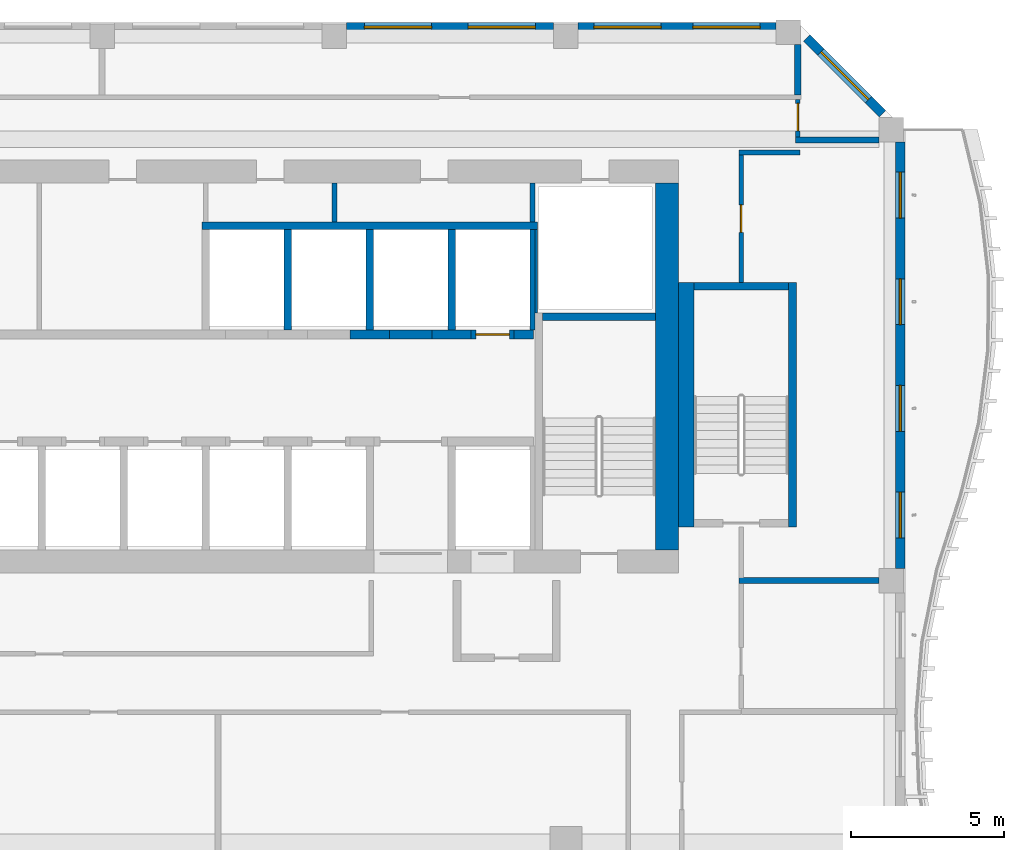
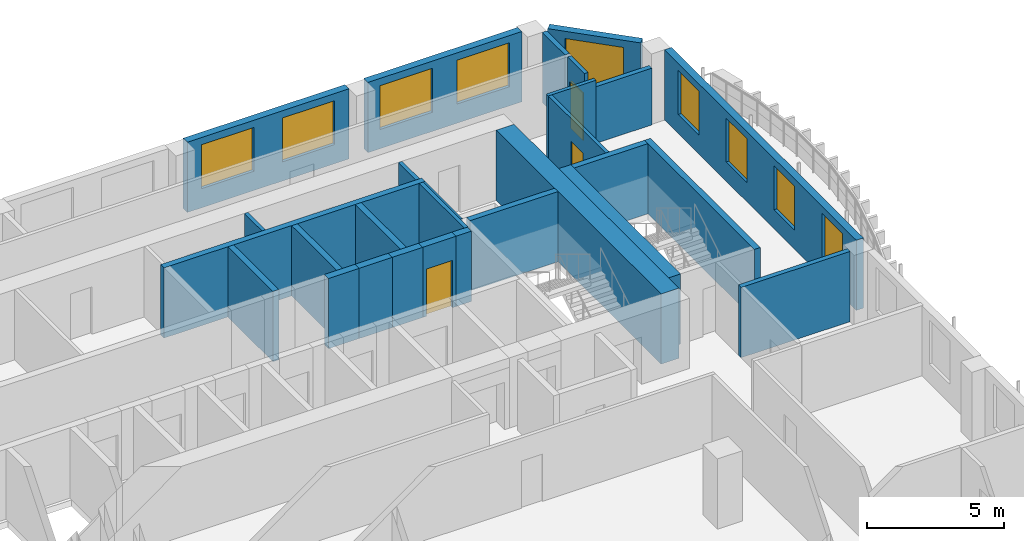
# One storey, part 10 of 22: 28 walls, 9 windows, 3 doors, 12 openings.
"""IFC4 building model written with IfcOpenShell, lengths in metres."""

from ifc_helpers import new_model, si_unit, direction, frame, frame_2d, origin, place, context, subcontext, project, spatial, rectangle, extrude, source, transform, mapped, material, layer, layer_set, type_object, element, fill, save


model = new_model("IFC4")

# Units and contexts
model_context = context("Model", 3, precision=1e-05, world=origin(), true_north=direction((0.0, 1.0)))
body_context = subcontext(model_context, "Body", "Model", "MODEL_VIEW")
ifc_project = project(units=[si_unit("LENGTHUNIT", "METRE"), si_unit("AREAUNIT", "SQUARE_METRE"), si_unit("VOLUMEUNIT", "CUBIC_METRE"), si_unit("PLANEANGLEUNIT", "RADIAN"), si_unit("MASSUNIT", "GRAM", prefix="KILO")], contexts=[model_context])

# Site, building, storey
site_placement = place(None, origin())
site = spatial("IfcSite", under=ifc_project, at=site_placement, CompositionType="ELEMENT")
building_placement = place(site_placement, origin())
building = spatial("IfcBuilding", under=site, at=building_placement, Name="Kilnfold Tower and Market Hall", CompositionType="ELEMENT")
storey_placement = place(building_placement, frame((0.0, 0.0, 188.89990234375)))
storey = spatial("IfcBuildingStorey", under=building, at=storey_placement, Name="L45", CompositionType="ELEMENT", Elevation=188.89990234375)

# Wall
ifc_material_1 = material(Name="Gypsum board on steel studs", Category="steel")
ifc_layer_1 = layer(ifc_material_1, 0.14990234375)
ifc_layer_set_1 = layer_set([ifc_layer_1], Name="Gypsum board on steel studs")
wall_type_1 = type_object("IfcWallType", Name="WALL CORRIDOR 150", PredefinedType="PARTITIONING", material=ifc_layer_set_1)
wall_1_placement = place(storey_placement, frame((19.824951171875, 22.0, 0.0), z_axis=(0.0, 0.0, 1.0), x_axis=(1.0, 0.0, 0.0)))
element("IfcWall", 1, at=wall_1_placement, inside=storey, type_object=wall_type_1, Name="Partition LY28.30", PredefinedType="PARTITIONING", context=body_context, shape_type="SweptSolid", body=[
    extrude(rectangle(XDim=2.0, YDim=0.14990234375, at=frame_2d((1.0, 0.0))), origin(), (0.0, 0.0, 1.0), 3.1201171875),
])

# Wall, opening, door
wall_2_placement = place(storey_placement, frame((19.89990234375, 17.75, 0.0), z_axis=(0.0, 0.0, 1.0), x_axis=(0.0, 1.0, 0.0)))
wall_2 = element("IfcWall", 2, at=wall_2_placement, inside=storey, type_object=wall_type_1, Name="Partition LY28.31", PredefinedType="PARTITIONING", context=body_context, shape_type="SweptSolid", body=[
    extrude(rectangle(XDim=4.175048828125, YDim=0.14990234375, at=frame_2d((2.08740234375, 0.0))), origin(), (0.0, 0.0, 1.0), 3.1201171875),
])
opening_1_placement = place(wall_2_placement, frame((1.637939453125, 0.0, 0.0)))
opening_1 = element("IfcOpeningElement", 3, at=opening_1_placement, cuts=wall_2, Name="Opening D2", PredefinedType="OPENING", context=body_context, shape_type="SweptSolid", body=[
    extrude(rectangle(XDim=0.89990234375, YDim=2.10009765625, at=frame_2d((0.449951171875, 1.050048828125))), frame((0.0, 0.0849609375, 0.0), z_axis=(0.0, -1.0, 0.0), x_axis=(1.0, 0.0, 0.0)), (0.0, 0.0, 1.0), 0.169921875),
])
ifc_material_2 = material(Name="Timber veneer door leaf in steel frame", Category="steel")
door_type_1 = type_object("IfcDoorType", Name="DOOR ROOM 900 X2100", OperationType="NOTDEFINED", PredefinedType="DOOR", material=ifc_material_2)
door_1_placement = place(opening_1_placement, origin())
door_1 = element("IfcDoor", 4, at=door_1_placement, inside=storey, type_object=door_type_1, Name="Door D2", OperationType="SINGLE_SWING_LEFT", OverallHeight=2.10009765625, OverallWidth=0.89990234375, PredefinedType="DOOR", context=body_context, shape_type="SweptSolid", body=[
    extrude(rectangle(XDim=0.89990234375, YDim=2.10009765625, at=frame_2d((0.449951171875, 1.050048828125))), frame((0.0, 0.02490234375, 0.0), z_axis=(0.0, -1.0, 0.0), x_axis=(1.0, 0.0, 0.0)), (0.0, 0.0, 1.0), 0.050048828125),
])
fill(opening_1, door_1)

wall_3_placement = place(storey_placement, frame((21.75, 22.5029296875, 0.0), z_axis=(0.0, 0.0, 1.0), x_axis=(0.0, 1.0, 0.0)))
wall_3 = element("IfcWall", 5, at=wall_3_placement, inside=storey, type_object=wall_type_1, Name="Partition LY28.33", PredefinedType="PARTITIONING", context=body_context, shape_type="SweptSolid", body=[
    extrude(rectangle(XDim=1.22216796875, YDim=0.14990234375, at=frame_2d((0.611083984375, 0.0))), origin(), (0.0, 0.0, 1.0), 3.1201171875),
])
opening_2_placement = place(wall_3_placement, frame((0.201904296875, 0.0, 0.0)))
opening_2 = element("IfcOpeningElement", 6, at=opening_2_placement, cuts=wall_3, Name="Opening D2", PredefinedType="OPENING", context=body_context, shape_type="SweptSolid", body=[
    extrude(rectangle(XDim=0.89990234375, YDim=2.10009765625, at=frame_2d((0.449951171875, 1.050048828125))), frame((0.0, 0.0849609375, 0.0), z_axis=(0.0, -1.0, 0.0), x_axis=(1.0, 0.0, 0.0)), (0.0, 0.0, 1.0), 0.169921875),
])
door_2_placement = place(opening_2_placement, origin())
door_2 = element("IfcDoor", 7, at=door_2_placement, inside=storey, type_object=door_type_1, Name="Door D2", OperationType="SINGLE_SWING_RIGHT", OverallHeight=2.10009765625, OverallWidth=0.89990234375, PredefinedType="DOOR", context=body_context, shape_type="SweptSolid", body=[
    extrude(rectangle(XDim=0.89990234375, YDim=2.10009765625, at=frame_2d((0.449951171875, 1.050048828125))), frame((0.0, 0.02490234375, 0.0), z_axis=(0.0, -1.0, 0.0), x_axis=(1.0, 0.0, 0.0)), (0.0, 0.0, 1.0), 0.050048828125),
])
fill(opening_2, door_2)

# Walls
ifc_material_3 = material(Name="Gypsum board on steel studs", Category="steel")
ifc_layer_2 = layer(ifc_material_3, 0.199951171875)
ifc_layer_set_2 = layer_set([ifc_layer_2], Name="Gypsum board on steel studs")
wall_type_2 = type_object("IfcWallType", Name="WALL PARTY 200", PredefinedType="PARTITIONING", material=ifc_layer_set_2)
wall_4_placement = place(storey_placement, frame((19.826904296875, 8.0, 0.0), z_axis=(0.0, 0.0, 1.0), x_axis=(1.0, 0.0, 0.0)))
element("IfcWall", 8, at=wall_4_placement, inside=storey, type_object=wall_type_2, Name="Partition LY28.115", PredefinedType="PARTITIONING", context=body_context, shape_type="SweptSolid", body=[
    extrude(rectangle(XDim=4.572998046875, YDim=0.199951171875, at=frame_2d((2.28662109375, 0.0))), origin(), (0.0, 0.0, 1.0), 3.1201171875),
])
wall_5_placement = place(storey_placement, frame((24.39990234375, 22.4130859375, 0.0), z_axis=(0.0, 0.0, 1.0), x_axis=(-1.0, 0.0, 0.0)))
element("IfcWall", 9, at=wall_5_placement, inside=storey, type_object=wall_type_2, Name="Partition LY28.117", PredefinedType="PARTITIONING", context=body_context, shape_type="SweptSolid", body=[
    extrude(rectangle(XDim=2.722900390625, YDim=0.199951171875, at=frame_2d((1.361328125, 0.0))), origin(), (0.0, 0.0, 1.0), 2.52001953125),
])
wall_6_placement = place(storey_placement, frame((21.75, 25.531982421875, 0.0), z_axis=(0.0, 0.0, 1.0), x_axis=(0.0, -1.0, 0.0)))
element("IfcWall", 10, at=wall_6_placement, inside=storey, type_object=wall_type_2, Name="Partition LY28.118", PredefinedType="PARTITIONING", context=body_context, shape_type="SweptSolid", body=[
    extrude(rectangle(XDim=1.655029296875, YDim=0.199951171875, at=frame_2d((0.82763671875, 0.0))), origin(), (0.0, 0.0, 1.0), 3.1201171875),
])
ifc_material_4 = material(Name="Concrete C60", Category="concrete")
ifc_layer_3 = layer(ifc_material_4, 0.25)
ifc_layer_set_3 = layer_set([ifc_layer_3], Name="Concrete C60")
wall_type_3 = type_object("IfcWallType", Name="CORE WALL 250 C60", PredefinedType="SHEAR", material=ifc_layer_set_3)
shared_shape_1 = source(origin(), body_context, "Body", "SweptSolid", [
    extrude(rectangle(XDim=3.7001953125, YDim=0.25, at=frame_2d((1.85009765625, 0.0))), origin(), (0.0, 0.0, 1.0), 3.1201171875),
])
wall_7_placement = place(storey_placement, frame((13.39990234375, 16.625, 0.0), z_axis=(0.0, 0.0, 1.0), x_axis=(1.0, 0.0, 0.0)))
element("IfcWall", 11, at=wall_7_placement, inside=storey, type_object=wall_type_3, Name="Stair enclosure ST2", PredefinedType="SHEAR", context=body_context, shape_type="MappedRepresentation", body=[
    mapped(shared_shape_1, transform((0.0, 0.0, 0.0))),
])
shared_shape_2 = source(origin(), body_context, "Body", "SweptSolid", [
    extrude(rectangle(XDim=8.0, YDim=0.25, at=frame_2d((4.0, 0.0))), origin(), (0.0, 0.0, 1.0), 3.1201171875),
])
wall_8_placement = place(storey_placement, frame((21.574951171875, 9.75, 0.0), z_axis=(0.0, 0.0, 1.0), x_axis=(0.0, 1.0, 0.0)))
element("IfcWall", 12, at=wall_8_placement, inside=storey, type_object=wall_type_3, Name="Stair enclosure ST5", PredefinedType="SHEAR", context=body_context, shape_type="MappedRepresentation", body=[
    mapped(shared_shape_2, transform((0.0, 0.0, 0.0))),
])
shared_shape_3 = source(origin(), body_context, "Body", "SweptSolid", [
    extrude(rectangle(XDim=3.099853515625, YDim=0.25, at=frame_2d((1.5498046875, 0.0))), origin(), (0.0, 0.0, 1.0), 3.1201171875),
])
wall_9_placement = place(storey_placement, frame((18.35009765625, 17.625, 0.0), z_axis=(0.0, 0.0, 1.0), x_axis=(1.0, 0.0, 0.0)))
element("IfcWall", 13, at=wall_9_placement, inside=storey, type_object=wall_type_3, Name="Stair enclosure ST5", PredefinedType="SHEAR", context=body_context, shape_type="MappedRepresentation", body=[
    mapped(shared_shape_3, transform((0.0, 0.0, 0.0))),
])
ifc_material_5 = material(Name="Concrete C60", Category="concrete")
ifc_layer_4 = layer(ifc_material_5, 0.300048828125)
ifc_layer_set_4 = layer_set([ifc_layer_4], Name="Concrete C60")
wall_type_4 = type_object("IfcWallType", Name="CORE WALL 300 C60", PredefinedType="SHEAR", material=ifc_layer_set_4)
shared_shape_4 = source(origin(), body_context, "Body", "SweptSolid", [
    extrude(rectangle(XDim=1.280029296875, YDim=0.300048828125, at=frame_2d((0.64013671875, 0.0))), origin(), (0.0, 0.0, 1.0), 3.1201171875),
])
wall_10_placement = place(storey_placement, frame((9.7900390625, 16.050048828125, 0.0), z_axis=(0.0, 0.0, 1.0), x_axis=(1.0, 0.0, 0.0)))
element("IfcWall", 14, at=wall_10_placement, inside=storey, type_object=wall_type_4, Name="Core spine wall", PredefinedType="SHEAR", context=body_context, shape_type="MappedRepresentation", body=[
    mapped(shared_shape_4, transform((0.0, 0.0, 0.0))),
])
shared_shape_5 = source(origin(), body_context, "Body", "SweptSolid", [
    extrude(rectangle(XDim=1.27978515625, YDim=0.300048828125, at=frame_2d((0.639892578125, 0.0))), origin(), (0.0, 0.0, 1.0), 3.1201171875),
])
wall_11_placement = place(storey_placement, frame((7.110107421875, 16.050048828125, 0.0), z_axis=(0.0, 0.0, 1.0), x_axis=(1.0, 0.0, 0.0)))
element("IfcWall", 15, at=wall_11_placement, inside=storey, type_object=wall_type_4, Name="Core spine wall", PredefinedType="SHEAR", context=body_context, shape_type="MappedRepresentation", body=[
    mapped(shared_shape_5, transform((0.0, 0.0, 0.0))),
])
shared_shape_6 = source(origin(), body_context, "Body", "SweptSolid", [
    extrude(rectangle(XDim=0.64013671875, YDim=0.300048828125, at=frame_2d((0.320068359375, 0.0))), origin(), (0.0, 0.0, 1.0), 3.1201171875),
])
wall_12_placement = place(storey_placement, frame((12.469970703125, 16.050048828125, 0.0), z_axis=(0.0, 0.0, 1.0), x_axis=(1.0, 0.0, 0.0)))
element("IfcWall", 16, at=wall_12_placement, inside=storey, type_object=wall_type_4, Name="Core spine wall", PredefinedType="SHEAR", context=body_context, shape_type="MappedRepresentation", body=[
    mapped(shared_shape_6, transform((0.0, 0.0, 0.0))),
])
ifc_material_6 = material(Name="Concrete C60", Category="concrete")
ifc_layer_5 = layer(ifc_material_6, 0.75)
ifc_layer_set_5 = layer_set([ifc_layer_5], Name="Concrete C60")
wall_type_5 = type_object("IfcWallType", Name="CORE WALL 750 C60", PredefinedType="SHEAR", material=ifc_layer_set_5)
shared_shape_7 = source(origin(), body_context, "Body", "SweptSolid", [
    extrude(rectangle(XDim=12.0, YDim=0.75, at=frame_2d((6.0, 0.0))), origin(), (0.0, 0.0, 1.0), 3.1201171875),
])
wall_13_placement = place(storey_placement, frame((17.47509765625, 9.0, 0.0), z_axis=(0.0, 0.0, 1.0), x_axis=(0.0, 1.0, 0.0)))
element("IfcWall", 17, at=wall_13_placement, inside=storey, type_object=wall_type_5, Name="Core outer wall east", PredefinedType="SHEAR", context=body_context, shape_type="MappedRepresentation", body=[
    mapped(shared_shape_7, transform((0.0, 0.0, 0.0))),
])
ifc_material_7 = material(Name="Concrete C60", Category="concrete")
ifc_layer_6 = layer(ifc_material_7, 0.5)
ifc_layer_set_6 = layer_set([ifc_layer_6], Name="Concrete C60")
wall_type_6 = type_object("IfcWallType", Name="CORE WALL 500 C60", PredefinedType="SHEAR", material=ifc_layer_set_6)
shared_shape_8 = source(origin(), body_context, "Body", "SweptSolid", [
    extrude(rectangle(XDim=8.0, YDim=0.5, at=frame_2d((4.0, 0.0))), origin(), (0.0, 0.0, 1.0), 3.1201171875),
])
wall_14_placement = place(storey_placement, frame((18.10009765625, 9.75, 0.0), z_axis=(0.0, 0.0, 1.0), x_axis=(0.0, 1.0, 0.0)))
element("IfcWall", 18, at=wall_14_placement, inside=storey, type_object=wall_type_6, Name="Stair enclosure ST5", PredefinedType="SHEAR", context=body_context, shape_type="MappedRepresentation", body=[
    mapped(shared_shape_8, transform((0.0, 0.0, 0.0))),
])

# Wall, openings, windows
ifc_material_8 = material(Name="Precast concrete C50/60", Category="concrete")
ifc_layer_7 = layer(ifc_material_8, 0.300048828125)
ifc_layer_set_7 = layer_set([ifc_layer_7], Name="Precast concrete C50/60")
wall_type_7 = type_object("IfcWallType", Name="PRECAST WALL 300", PredefinedType="SOLIDWALL", material=ifc_layer_set_7)
shared_shape_9 = source(origin(), body_context, "Body", "SweptSolid", [
    extrude(rectangle(XDim=6.783203125, YDim=0.300048828125, at=frame_2d((3.3916015625, 0.0))), origin(), (0.0, 0.0, 1.0), 3.1201171875),
])
wall_15_placement = place(storey_placement, frame((13.7666015625, 26.10009765625, 0.0), z_axis=(0.0, 0.0, 1.0), x_axis=(-1.0, 0.0, 0.0)))
wall_15 = element("IfcWall", 19, at=wall_15_placement, inside=storey, type_object=wall_type_7, Name="External wall L45 N", PredefinedType="SOLIDWALL", context=body_context, shape_type="MappedRepresentation", body=[
    mapped(shared_shape_9, transform((0.0, 0.0, 0.0))),
])
opening_3_placement = place(wall_15_placement, frame((0.595703125, 0.0, 0.85009765625)))
opening_3 = element("IfcOpeningElement", 20, at=opening_3_placement, cuts=wall_15, Name="Opening W2", PredefinedType="OPENING", context=body_context, shape_type="SweptSolid", body=[
    extrude(rectangle(XDim=2.199951171875, YDim=1.949951171875, at=frame_2d((1.10009765625, 0.97509765625))), frame((0.0, 0.16015625, 0.0), z_axis=(0.0, -1.0, 0.0), x_axis=(1.0, 0.0, 0.0)), (0.0, 0.0, 1.0), 0.320068359375),
])
opening_4_placement = place(wall_15_placement, frame((3.987548828125, 0.0, 0.85009765625)))
opening_4 = element("IfcOpeningElement", 21, at=opening_4_placement, cuts=wall_15, Name="Opening W2", PredefinedType="OPENING", context=body_context, shape_type="SweptSolid", body=[
    extrude(rectangle(XDim=2.199951171875, YDim=1.949951171875, at=frame_2d((1.10009765625, 0.97509765625))), frame((0.0, 0.16015625, 0.0), z_axis=(0.0, -1.0, 0.0), x_axis=(1.0, 0.0, 0.0)), (0.0, 0.0, 1.0), 0.320068359375),
])
ifc_material_9 = material(Name="Aluminium frame and double glazing", Category="aluminium")
window_type_1 = type_object("IfcWindowType", Name="WINDOW W2 2200X1950", PartitioningType="SINGLE_PANEL", PredefinedType="WINDOW", material=ifc_material_9)
window_1_placement = place(opening_3_placement, origin())
window_1 = element("IfcWindow", 22, at=window_1_placement, inside=storey, type_object=window_type_1, Name="Window W2 L45 N-1", OverallHeight=1.949951171875, OverallWidth=2.199951171875, PartitioningType="SINGLE_PANEL", PredefinedType="WINDOW", context=body_context, shape_type="SweptSolid", body=[
    extrude(rectangle(XDim=2.199951171875, YDim=1.949951171875, at=frame_2d((1.10009765625, 0.97509765625))), frame((0.0, 0.030029296875, 0.0), z_axis=(0.0, -1.0, 0.0), x_axis=(1.0, 0.0, 0.0)), (0.0, 0.0, 1.0), 0.06005859375),
])
fill(opening_3, window_1)
window_2_placement = place(opening_4_placement, origin())
window_2 = element("IfcWindow", 23, at=window_2_placement, inside=storey, type_object=window_type_1, Name="Window W2 L45 N-2", OverallHeight=1.949951171875, OverallWidth=2.199951171875, PartitioningType="SINGLE_PANEL", PredefinedType="WINDOW", context=body_context, shape_type="SweptSolid", body=[
    extrude(rectangle(XDim=2.199951171875, YDim=1.949951171875, at=frame_2d((1.10009765625, 0.97509765625))), frame((0.0, 0.030029296875, 0.0), z_axis=(0.0, -1.0, 0.0), x_axis=(1.0, 0.0, 0.0)), (0.0, 0.0, 1.0), 0.06005859375),
])
fill(opening_4, window_2)

# Wall, opening, window
shared_shape_10 = source(origin(), body_context, "Body", "SweptSolid", [
    extrude(rectangle(XDim=3.500244140625, YDim=0.300048828125, at=frame_2d((1.75, 0.0))), origin(), (0.0, 0.0, 1.0), 3.1201171875),
])
wall_16_placement = place(storey_placement, frame((24.518798828125, 23.268798828125, 0.0), z_axis=(0.0, 0.0, 1.0), x_axis=(-0.70707190453, 0.707141656123, 0.0)))
wall_16 = element("IfcWall", 24, at=wall_16_placement, inside=storey, type_object=wall_type_7, Name="External wall L45 NE", PredefinedType="SOLIDWALL", context=body_context, shape_type="MappedRepresentation", body=[
    mapped(shared_shape_10, transform((0.0, 0.0, 0.0))),
])
opening_5_placement = place(wall_16_placement, frame((0.650146484375, 0.0, 0.85009765625)))
opening_5 = element("IfcOpeningElement", 25, at=opening_5_placement, cuts=wall_16, Name="Opening W2", PredefinedType="OPENING", context=body_context, shape_type="SweptSolid", body=[
    extrude(rectangle(XDim=2.199951171875, YDim=1.949951171875, at=frame_2d((1.10009765625, 0.97509765625))), frame((0.0, 0.16015625, 0.0), z_axis=(0.0, -1.0, 0.0), x_axis=(1.0, 0.0, 0.0)), (0.0, 0.0, 1.0), 0.320068359375),
])
window_3_placement = place(opening_5_placement, origin())
window_3 = element("IfcWindow", 26, at=window_3_placement, inside=storey, type_object=window_type_1, Name="Window W2 L45 NE-1", OverallHeight=1.949951171875, OverallWidth=2.199951171875, PartitioningType="SINGLE_PANEL", PredefinedType="WINDOW", context=body_context, shape_type="SweptSolid", body=[
    extrude(rectangle(XDim=2.199951171875, YDim=1.949951171875, at=frame_2d((1.10009765625, 0.97509765625))), frame((0.0, 0.030029296875, 0.0), z_axis=(0.0, -1.0, 0.0), x_axis=(1.0, 0.0, 0.0)), (0.0, 0.0, 1.0), 0.06005859375),
])
fill(opening_5, window_3)

# Wall, openings, windows
shared_shape_11 = source(origin(), body_context, "Body", "SweptSolid", [
    extrude(rectangle(XDim=6.465087890625, YDim=0.300048828125, at=frame_2d((3.232421875, 0.0))), origin(), (0.0, 0.0, 1.0), 3.1201171875),
])
wall_17_placement = place(storey_placement, frame((21.03173828125, 26.10009765625, 0.0), z_axis=(0.0, 0.0, 1.0), x_axis=(-1.0, 0.0, 0.0)))
wall_17 = element("IfcWall", 27, at=wall_17_placement, inside=storey, type_object=wall_type_7, Name="External wall L45 N", PredefinedType="SOLIDWALL", context=body_context, shape_type="MappedRepresentation", body=[
    mapped(shared_shape_11, transform((0.0, 0.0, 0.0))),
])
opening_6_placement = place(wall_17_placement, frame((0.51611328125, 0.0, 0.85009765625)))
opening_6 = element("IfcOpeningElement", 28, at=opening_6_placement, cuts=wall_17, Name="Opening W2", PredefinedType="OPENING", context=body_context, shape_type="SweptSolid", body=[
    extrude(rectangle(XDim=2.199951171875, YDim=1.949951171875, at=frame_2d((1.10009765625, 0.97509765625))), frame((0.0, 0.16015625, 0.0), z_axis=(0.0, -1.0, 0.0), x_axis=(1.0, 0.0, 0.0)), (0.0, 0.0, 1.0), 0.320068359375),
])
opening_7_placement = place(wall_17_placement, frame((3.748779296875, 0.0, 0.85009765625)))
opening_7 = element("IfcOpeningElement", 29, at=opening_7_placement, cuts=wall_17, Name="Opening W2", PredefinedType="OPENING", context=body_context, shape_type="SweptSolid", body=[
    extrude(rectangle(XDim=2.199951171875, YDim=1.949951171875, at=frame_2d((1.10009765625, 0.97509765625))), frame((0.0, 0.16015625, 0.0), z_axis=(0.0, -1.0, 0.0), x_axis=(1.0, 0.0, 0.0)), (0.0, 0.0, 1.0), 0.320068359375),
])
window_4_placement = place(opening_6_placement, origin())
window_4 = element("IfcWindow", 30, at=window_4_placement, inside=storey, type_object=window_type_1, Name="Window W2 L45 N-1", OverallHeight=1.949951171875, OverallWidth=2.199951171875, PartitioningType="SINGLE_PANEL", PredefinedType="WINDOW", context=body_context, shape_type="SweptSolid", body=[
    extrude(rectangle(XDim=2.199951171875, YDim=1.949951171875, at=frame_2d((1.10009765625, 0.97509765625))), frame((0.0, 0.030029296875, 0.0), z_axis=(0.0, -1.0, 0.0), x_axis=(1.0, 0.0, 0.0)), (0.0, 0.0, 1.0), 0.06005859375),
])
fill(opening_6, window_4)
window_5_placement = place(opening_7_placement, origin())
window_5 = element("IfcWindow", 31, at=window_5_placement, inside=storey, type_object=window_type_1, Name="Window W2 L45 N-2", OverallHeight=1.949951171875, OverallWidth=2.199951171875, PartitioningType="SINGLE_PANEL", PredefinedType="WINDOW", context=body_context, shape_type="SweptSolid", body=[
    extrude(rectangle(XDim=2.199951171875, YDim=1.949951171875, at=frame_2d((1.10009765625, 0.97509765625))), frame((0.0, 0.030029296875, 0.0), z_axis=(0.0, -1.0, 0.0), x_axis=(1.0, 0.0, 0.0)), (0.0, 0.0, 1.0), 0.06005859375),
])
fill(opening_7, window_5)

shared_shape_12 = source(origin(), body_context, "Body", "SweptSolid", [
    extrude(rectangle(XDim=13.9501953125, YDim=0.300048828125, at=frame_2d((6.97509765625, 0.0))), origin(), (0.0, 0.0, 1.0), 3.1201171875),
])
wall_18_placement = place(storey_placement, frame((25.10009765625, 8.39990234375, 0.0), z_axis=(0.0, 0.0, 1.0), x_axis=(0.0, 1.0, 0.0)))
wall_18 = element("IfcWall", 32, at=wall_18_placement, inside=storey, type_object=wall_type_7, Name="External wall L45 E", PredefinedType="SOLIDWALL", context=body_context, shape_type="MappedRepresentation", body=[
    mapped(shared_shape_12, transform((0.0, 0.0, 0.0))),
])
opening_8_placement = place(wall_18_placement, frame((0.993896484375, 0.0, 0.85009765625)))
opening_8 = element("IfcOpeningElement", 33, at=opening_8_placement, cuts=wall_18, Name="Opening W4", PredefinedType="OPENING", context=body_context, shape_type="SweptSolid", body=[
    extrude(rectangle(XDim=1.5, YDim=1.949951171875, at=frame_2d((0.75, 0.97509765625))), frame((0.0, 0.16015625, 0.0), z_axis=(0.0, -1.0, 0.0), x_axis=(1.0, 0.0, 0.0)), (0.0, 0.0, 1.0), 0.320068359375),
])
opening_9_placement = place(wall_18_placement, frame((4.481201171875, 0.0, 0.85009765625)))
opening_9 = element("IfcOpeningElement", 34, at=opening_9_placement, cuts=wall_18, Name="Opening W4", PredefinedType="OPENING", context=body_context, shape_type="SweptSolid", body=[
    extrude(rectangle(XDim=1.5, YDim=1.949951171875, at=frame_2d((0.75, 0.97509765625))), frame((0.0, 0.16015625, 0.0), z_axis=(0.0, -1.0, 0.0), x_axis=(1.0, 0.0, 0.0)), (0.0, 0.0, 1.0), 0.320068359375),
])
opening_10_placement = place(wall_18_placement, frame((7.96875, 0.0, 0.85009765625)))
opening_10 = element("IfcOpeningElement", 35, at=opening_10_placement, cuts=wall_18, Name="Opening W4", PredefinedType="OPENING", context=body_context, shape_type="SweptSolid", body=[
    extrude(rectangle(XDim=1.5, YDim=1.949951171875, at=frame_2d((0.75, 0.97509765625))), frame((0.0, 0.16015625, 0.0), z_axis=(0.0, -1.0, 0.0), x_axis=(1.0, 0.0, 0.0)), (0.0, 0.0, 1.0), 0.320068359375),
])
opening_11_placement = place(wall_18_placement, frame((11.456298828125, 0.0, 0.85009765625)))
opening_11 = element("IfcOpeningElement", 36, at=opening_11_placement, cuts=wall_18, Name="Opening W4", PredefinedType="OPENING", context=body_context, shape_type="SweptSolid", body=[
    extrude(rectangle(XDim=1.5, YDim=1.949951171875, at=frame_2d((0.75, 0.97509765625))), frame((0.0, 0.16015625, 0.0), z_axis=(0.0, -1.0, 0.0), x_axis=(1.0, 0.0, 0.0)), (0.0, 0.0, 1.0), 0.320068359375),
])
ifc_material_10 = material(Name="Aluminium frame and double glazing", Category="aluminium")
window_type_2 = type_object("IfcWindowType", Name="WINDOW W4 1500X1950", PartitioningType="SINGLE_PANEL", PredefinedType="WINDOW", material=ifc_material_10)
window_6_placement = place(opening_8_placement, origin())
window_6 = element("IfcWindow", 37, at=window_6_placement, inside=storey, type_object=window_type_2, Name="Window W4 L45 E-1", OverallHeight=1.949951171875, OverallWidth=1.5, PartitioningType="SINGLE_PANEL", PredefinedType="WINDOW", context=body_context, shape_type="SweptSolid", body=[
    extrude(rectangle(XDim=1.5, YDim=1.949951171875, at=frame_2d((0.75, 0.97509765625))), frame((0.0, 0.030029296875, 0.0), z_axis=(0.0, -1.0, 0.0), x_axis=(1.0, 0.0, 0.0)), (0.0, 0.0, 1.0), 0.06005859375),
])
fill(opening_8, window_6)
window_7_placement = place(opening_9_placement, origin())
window_7 = element("IfcWindow", 38, at=window_7_placement, inside=storey, type_object=window_type_2, Name="Window W4 L45 E-2", OverallHeight=1.949951171875, OverallWidth=1.5, PartitioningType="SINGLE_PANEL", PredefinedType="WINDOW", context=body_context, shape_type="SweptSolid", body=[
    extrude(rectangle(XDim=1.5, YDim=1.949951171875, at=frame_2d((0.75, 0.97509765625))), frame((0.0, 0.030029296875, 0.0), z_axis=(0.0, -1.0, 0.0), x_axis=(1.0, 0.0, 0.0)), (0.0, 0.0, 1.0), 0.06005859375),
])
fill(opening_9, window_7)
window_8_placement = place(opening_10_placement, origin())
window_8 = element("IfcWindow", 39, at=window_8_placement, inside=storey, type_object=window_type_2, Name="Window W4 L45 E-3", OverallHeight=1.949951171875, OverallWidth=1.5, PartitioningType="SINGLE_PANEL", PredefinedType="WINDOW", context=body_context, shape_type="SweptSolid", body=[
    extrude(rectangle(XDim=1.5, YDim=1.949951171875, at=frame_2d((0.75, 0.97509765625))), frame((0.0, 0.030029296875, 0.0), z_axis=(0.0, -1.0, 0.0), x_axis=(1.0, 0.0, 0.0)), (0.0, 0.0, 1.0), 0.06005859375),
])
fill(opening_10, window_8)
window_9_placement = place(opening_11_placement, origin())
window_9 = element("IfcWindow", 40, at=window_9_placement, inside=storey, type_object=window_type_2, Name="Window W4 L45 E-4", OverallHeight=1.949951171875, OverallWidth=1.5, PartitioningType="SINGLE_PANEL", PredefinedType="WINDOW", context=body_context, shape_type="SweptSolid", body=[
    extrude(rectangle(XDim=1.5, YDim=1.949951171875, at=frame_2d((0.75, 0.97509765625))), frame((0.0, 0.030029296875, 0.0), z_axis=(0.0, -1.0, 0.0), x_axis=(1.0, 0.0, 0.0)), (0.0, 0.0, 1.0), 0.06005859375),
])
fill(opening_11, window_9)

# Wall, opening, door
ifc_material_11 = material(Name="Gypsum shaft wall system")
ifc_layer_8 = layer(ifc_material_11, 0.300048828125)
ifc_layer_set_8 = layer_set([ifc_layer_8], Name="Gypsum shaft wall system")
wall_type_8 = type_object("IfcWallType", Name="SHAFT WALL 300", PredefinedType="PARTITIONING", material=ifc_layer_set_8)
shared_shape_13 = source(origin(), body_context, "Body", "SweptSolid", [
    extrude(rectangle(XDim=1.39990234375, YDim=0.300048828125, at=frame_2d((0.699951171875, 0.0))), origin(), (0.0, 0.0, 1.0), 3.1201171875),
])
wall_19_placement = place(storey_placement, frame((11.070068359375, 16.050048828125, 0.0), z_axis=(0.0, 0.0, 1.0), x_axis=(1.0, 0.0, 0.0)))
wall_19 = element("IfcWall", 41, at=wall_19_placement, inside=storey, type_object=wall_type_8, Name="Lift shaft front wall", PredefinedType="PARTITIONING", context=body_context, shape_type="MappedRepresentation", body=[
    mapped(shared_shape_13, transform((0.0, 0.0, 0.0))),
])
opening_12_placement = place(wall_19_placement, frame((0.14990234375, 0.0, 0.0)))
opening_12 = element("IfcOpeningElement", 42, at=opening_12_placement, cuts=wall_19, Name="Opening LD2", PredefinedType="OPENING", context=body_context, shape_type="SweptSolid", body=[
    extrude(rectangle(XDim=1.10009765625, YDim=2.10009765625, at=frame_2d((0.550048828125, 1.050048828125))), frame((0.0, 0.16015625, 0.0), z_axis=(0.0, -1.0, 0.0), x_axis=(1.0, 0.0, 0.0)), (0.0, 0.0, 1.0), 0.320068359375),
])
ifc_material_12 = material(Name="Steel door set with fire-resisting leaf", Category="steel")
door_type_2 = type_object("IfcDoorType", Name="LANDING DOOR 1100X2100", OperationType="NOTDEFINED", PredefinedType="DOOR", material=ifc_material_12)
door_3_placement = place(opening_12_placement, origin())
door_3 = element("IfcDoor", 43, at=door_3_placement, inside=storey, type_object=door_type_2, Name="Landing door MR6", OperationType="DOUBLE_DOOR_SLIDING", OverallHeight=2.10009765625, OverallWidth=1.10009765625, PredefinedType="DOOR", context=body_context, shape_type="SweptSolid", body=[
    extrude(rectangle(XDim=1.10009765625, YDim=2.10009765625, at=frame_2d((0.550048828125, 1.050048828125))), frame((0.0, 0.02490234375, 0.0), z_axis=(0.0, -1.0, 0.0), x_axis=(1.0, 0.0, 0.0)), (0.0, 0.0, 1.0), 0.050048828125),
])
fill(opening_12, door_3)

# Walls
shared_shape_14 = source(origin(), body_context, "Body", "SweptSolid", [
    extrude(rectangle(XDim=1.400146484375, YDim=0.300048828125, at=frame_2d((0.7001953125, 0.0))), origin(), (0.0, 0.0, 1.0), 3.1201171875),
])
wall_20_placement = place(storey_placement, frame((8.389892578125, 16.050048828125, 0.0), z_axis=(0.0, 0.0, 1.0), x_axis=(1.0, 0.0, 0.0)))
element("IfcWall", 44, at=wall_20_placement, inside=storey, type_object=wall_type_8, Name="Lift shaft front wall", PredefinedType="PARTITIONING", context=body_context, shape_type="MappedRepresentation", body=[
    mapped(shared_shape_14, transform((0.0, 0.0, 0.0))),
])
ifc_material_13 = material(Name="Gypsum shaft wall system")
ifc_layer_9 = layer(ifc_material_13, 0.1650390625)
ifc_layer_set_9 = layer_set([ifc_layer_9], Name="Gypsum shaft wall system")
wall_type_9 = type_object("IfcWallType", Name="SHAFT WALL 165", PredefinedType="PARTITIONING", material=ifc_layer_set_9)
shared_shape_15 = source(origin(), body_context, "Body", "SweptSolid", [
    extrude(rectangle(XDim=3.275146484375, YDim=0.1650390625, at=frame_2d((1.6376953125, 0.0))), origin(), (0.0, 0.0, 1.0), 3.1201171875),
])
wall_21_placement = place(storey_placement, frame((13.0673828125, 16.199951171875, 0.0), z_axis=(0.0, 0.0, 1.0), x_axis=(0.0, 1.0, 0.0)))
element("IfcWall", 45, at=wall_21_placement, inside=storey, type_object=wall_type_9, Name="Lift shaft wall", PredefinedType="PARTITIONING", context=body_context, shape_type="MappedRepresentation", body=[
    mapped(shared_shape_15, transform((0.0, 0.0, 0.0))),
])
shared_shape_16 = source(origin(), body_context, "Body", "SweptSolid", [
    extrude(rectangle(XDim=1.27490234375, YDim=0.1650390625, at=frame_2d((0.637451171875, 0.0))), origin(), (0.0, 0.0, 1.0), 3.1201171875),
])
wall_22_placement = place(storey_placement, frame((13.0673828125, 19.72509765625, 0.0), z_axis=(0.0, 0.0, 1.0), x_axis=(0.0, 1.0, 0.0)))
element("IfcWall", 46, at=wall_22_placement, inside=storey, type_object=wall_type_9, Name="Lift shaft wall", PredefinedType="PARTITIONING", context=body_context, shape_type="MappedRepresentation", body=[
    mapped(shared_shape_16, transform((0.0, 0.0, 0.0))),
])
ifc_material_14 = material(Name="Gypsum shaft wall system")
ifc_layer_10 = layer(ifc_material_14, 0.25)
ifc_layer_set_10 = layer_set([ifc_layer_10], Name="Gypsum shaft wall system")
wall_type_10 = type_object("IfcWallType", Name="SHAFT WALL 250", PredefinedType="PARTITIONING", material=ifc_layer_set_10)
shared_shape_17 = source(origin(), body_context, "Body", "SweptSolid", [
    extrude(rectangle(XDim=3.275146484375, YDim=0.25, at=frame_2d((1.6376953125, 0.0))), origin(), (0.0, 0.0, 1.0), 3.1201171875),
])
for number, where, z_axis, x_axis, name in (
    (47, (10.429931640625, 16.199951171875, 0.0), (0.0, 0.0, 1.0), (0.0, 1.0, 0.0), "Lift shaft wall"),
    (48, (5.070068359375, 16.199951171875, 0.0), (0.0, 0.0, 1.0), (0.0, 1.0, 0.0), "Lift shaft wall"),
    (49, (7.75, 16.199951171875, 0.0), (0.0, 0.0, 1.0), (0.0, 1.0, 0.0), "Lift shaft wall"),
):
    element("IfcWall", number, at=place(storey_placement, frame(where, z_axis=z_axis, x_axis=x_axis)), inside=storey, type_object=wall_type_10, Name=name, PredefinedType="PARTITIONING", context=body_context, shape_type="MappedRepresentation", body=[
        mapped(shared_shape_17, transform((0.0, 0.0, 0.0))),
    ])
ifc_material_15 = material(Name="Gypsum shaft wall system")
ifc_layer_11 = layer(ifc_material_15, 0.0849609375)
ifc_layer_set_11 = layer_set([ifc_layer_11], Name="Gypsum shaft wall system")
wall_type_11 = type_object("IfcWallType", Name="SHAFT WALL 85", PredefinedType="PARTITIONING", material=ifc_layer_set_11)
shared_shape_18 = source(origin(), body_context, "Body", "SweptSolid", [
    extrude(rectangle(XDim=2.72509765625, YDim=0.0849609375, at=frame_2d((1.362548828125, 0.0))), origin(), (0.0, 0.0, 1.0), 3.1201171875),
])
wall_23_placement = place(storey_placement, frame((13.1923828125, 16.75, 0.0), z_axis=(0.0, 0.0, 1.0), x_axis=(0.0, 1.0, 0.0)))
element("IfcWall", 50, at=wall_23_placement, inside=storey, type_object=wall_type_11, Name="Lift shaft wall", PredefinedType="PARTITIONING", context=body_context, shape_type="MappedRepresentation", body=[
    mapped(shared_shape_18, transform((0.0, 0.0, 0.0))),
])
ifc_material_16 = material(Name="Gypsum shaft wall system")
ifc_layer_12 = layer(ifc_material_16, 0.14990234375)
ifc_layer_set_12 = layer_set([ifc_layer_12], Name="Gypsum shaft wall system")
wall_type_12 = type_object("IfcWallType", Name="ROOM WALL 150", PredefinedType="PARTITIONING", material=ifc_layer_set_12)
shared_shape_19 = source(origin(), body_context, "Body", "SweptSolid", [
    extrude(rectangle(XDim=1.27490234375, YDim=0.14990234375, at=frame_2d((0.637451171875, 0.0))), origin(), (0.0, 0.0, 1.0), 3.1201171875),
])
wall_24_placement = place(storey_placement, frame((6.59765625, 19.72509765625, 0.0), z_axis=(0.0, 0.0, 1.0), x_axis=(0.0, 1.0, 0.0)))
element("IfcWall", 51, at=wall_24_placement, inside=storey, type_object=wall_type_12, Name="Core room wall", PredefinedType="PARTITIONING", context=body_context, shape_type="MappedRepresentation", body=[
    mapped(shared_shape_19, transform((0.0, 0.0, 0.0))),
])
shared_shape_20 = source(origin(), body_context, "Body", "SweptSolid", [
    extrude(rectangle(XDim=10.97021484375, YDim=0.25, at=frame_2d((5.485107421875, 0.0))), origin(), (0.0, 0.0, 1.0), 3.1201171875),
])
wall_25_placement = place(storey_placement, frame((2.264892578125, 19.60009765625, 0.0), z_axis=(0.0, 0.0, 1.0), x_axis=(1.0, 0.0, 0.0)))
element("IfcWall", 52, at=wall_25_placement, inside=storey, type_object=wall_type_10, Name="Lift shaft wall", PredefinedType="PARTITIONING", context=body_context, shape_type="MappedRepresentation", body=[
    mapped(shared_shape_20, transform((0.0, 0.0, 0.0))),
])

save(model, "model.ifc")
